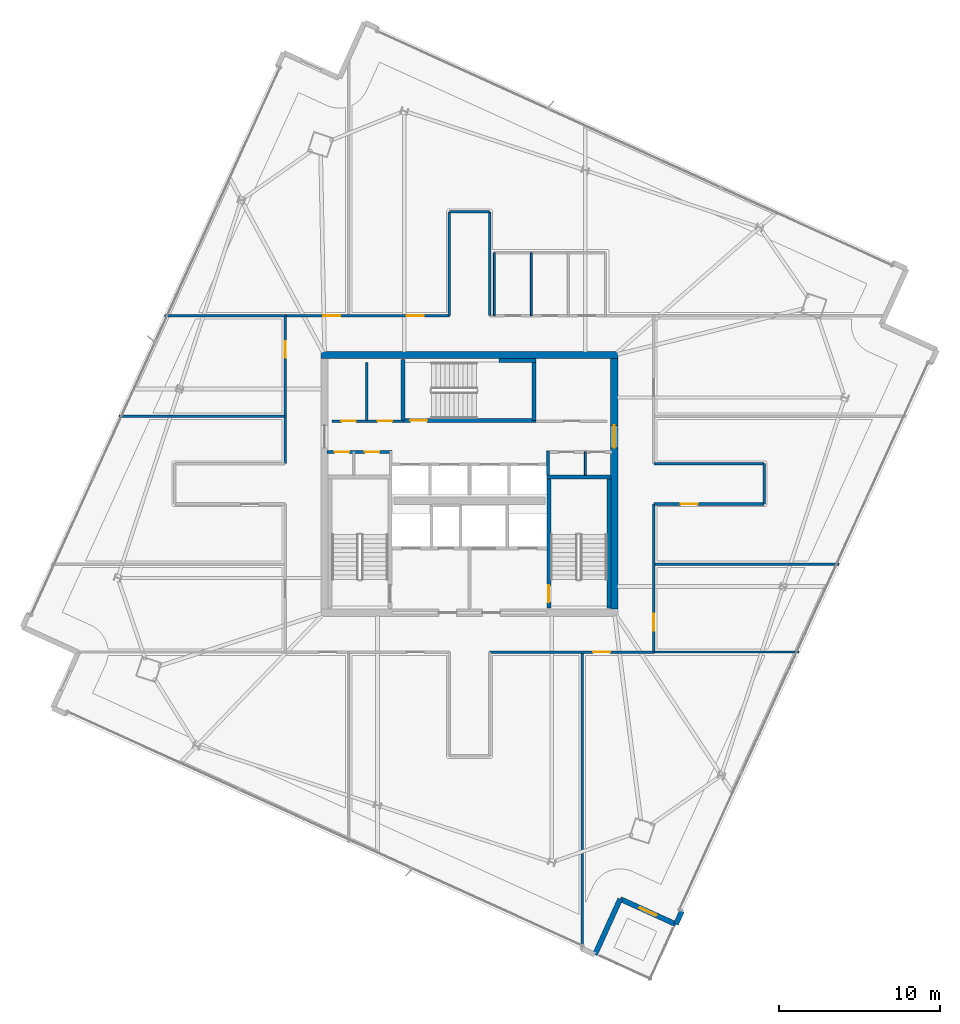
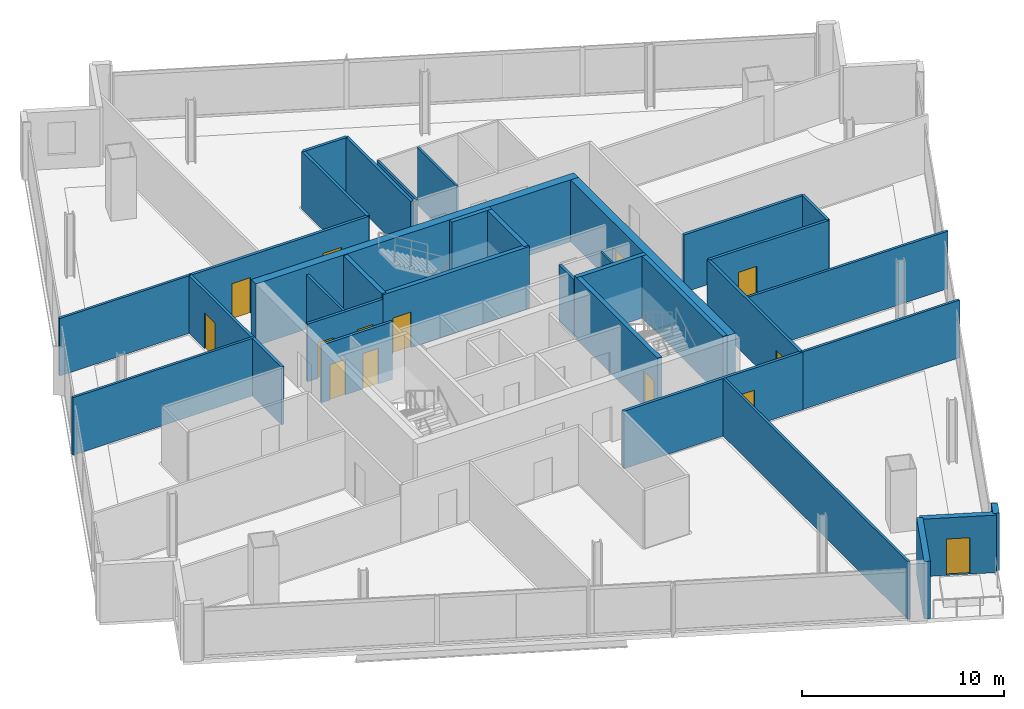
# One storey, part 20 of 26: 34 walls, 14 doors, 14 openings.
"""IFC4 building model written with IfcOpenShell, lengths in metres."""

from ifc_helpers import new_model, si_unit, direction, frame, frame_2d, origin, place, context, subcontext, project, spatial, rectangle, extrude, material, layer, layer_set, type_object, element, fill, save


model = new_model("IFC4")

# Units and contexts
model_context = context("Model", 3, precision=1e-05, world=origin(), true_north=direction((0.0, 1.0)))
body_context = subcontext(model_context, "Body", "Model", "MODEL_VIEW")
ifc_project = project(units=[si_unit("LENGTHUNIT", "METRE"), si_unit("AREAUNIT", "SQUARE_METRE"), si_unit("VOLUMEUNIT", "CUBIC_METRE"), si_unit("PLANEANGLEUNIT", "RADIAN"), si_unit("MASSUNIT", "GRAM", prefix="KILO")], contexts=[model_context])

# Site, building, storey
site_placement = place(None, origin())
site = spatial("IfcSite", under=ifc_project, at=site_placement, CompositionType="ELEMENT")
building_placement = place(site_placement, origin())
building = spatial("IfcBuilding", under=site, at=building_placement, Name="Haldenkirk Collegiate Tower", CompositionType="ELEMENT")
storey_placement = place(building_placement, frame((0.0, 0.0, 248.699951171875)))
storey = spatial("IfcBuildingStorey", under=building, at=storey_placement, Name="L62", CompositionType="ELEMENT", Elevation=248.699951171875)

# Wall
ifc_material_1 = material(Name="Concrete f'c 55 MPa", Category="concrete")
ifc_layer_1 = layer(ifc_material_1, 0.449951171875)
ifc_layer_set_1 = layer_set([ifc_layer_1], Name="Concrete f'c 55 MPa")
wall_type_1 = type_object("IfcWallType", Name="WL-CORE-450", PredefinedType="SHEAR", material=ifc_layer_set_1)
wall_1_placement = place(storey_placement, frame((26.77490234375, 34.0, 0.0), z_axis=(0.0, 0.0, 1.0), x_axis=(1.0, 0.0, 0.0)))
element("IfcWall", 1, at=wall_1_placement, inside=storey, type_object=wall_type_1, Name="L62 central core shear wall N", PredefinedType="SHEAR", context=body_context, shape_type="SweptSolid", body=[
    extrude(rectangle(XDim=18.4501953125, YDim=0.449951171875, at=frame_2d((9.22509765625, 0.0))), origin(), (0.0, 0.0, 1.0), 3.75),
])

# Wall, opening, door
wall_2_placement = place(storey_placement, frame((45.0, 18.22509765625, 0.0), z_axis=(0.0, 0.0, 1.0), x_axis=(0.0, 1.0, 0.0)))
wall_2 = element("IfcWall", 2, at=wall_2_placement, inside=storey, type_object=wall_type_1, Name="L62 central core shear wall E", PredefinedType="SHEAR", context=body_context, shape_type="SweptSolid", body=[
    extrude(rectangle(XDim=15.5498046875, YDim=0.449951171875, at=frame_2d((7.77490234375, 0.0))), origin(), (0.0, 0.0, 1.0), 3.75),
])
opening_1_placement = place(wall_2_placement, frame((10.014892578125, 0.0, 0.0)))
opening_1 = element("IfcOpeningElement", 3, at=opening_1_placement, cuts=wall_2, Name="Opening D-03", PredefinedType="OPENING", context=body_context, shape_type="SweptSolid", body=[
    extrude(rectangle(XDim=1.39990234375, YDim=2.199951171875, at=frame_2d((0.699951171875, 1.10009765625))), frame((0.0, 0.23486328125, 0.0), z_axis=(0.0, -1.0, 0.0), x_axis=(1.0, 0.0, 0.0)), (0.0, 0.0, 1.0), 0.469970703125),
])
ifc_material_2 = material(Name="Galvanized fire-rated hollow steel door", Category="steel")
ifc_layer_2 = layer(ifc_material_2, 0.06005859375)
ifc_layer_set_2 = layer_set([ifc_layer_2], Name="Galvanized fire-rated hollow steel door")
door_type_1 = type_object("IfcDoorType", Name="DR-LOBBY-FD90-1400", OperationType="NOTDEFINED", PredefinedType="DOOR", material=ifc_layer_set_2)
door_1_placement = place(opening_1_placement, origin())
door_1 = element("IfcDoor", 4, at=door_1_placement, inside=storey, type_object=door_type_1, Name="L62 east lift lobby portal", OperationType="DOUBLE_DOOR_SINGLE_SWING", OverallHeight=2.199951171875, OverallWidth=1.39990234375, PredefinedType="DOOR", context=body_context, shape_type="SweptSolid", body=[
    extrude(rectangle(XDim=1.39990234375, YDim=2.199951171875, at=frame_2d((0.699951171875, 1.10009765625))), frame((0.0, 0.02490234375, 0.0), z_axis=(0.0, -1.0, 0.0), x_axis=(1.0, 0.0, 0.0)), (0.0, 0.0, 1.0), 0.050048828125),
])
fill(opening_1, door_1)

# Walls
ifc_material_3 = material(Name="Precast concrete f'c 40 MPa", Category="concrete")
ifc_layer_3 = layer(ifc_material_3, 0.320068359375)
ifc_layer_set_3 = layer_set([ifc_layer_3], Name="Precast concrete f'c 40 MPa")
wall_type_2 = type_object("IfcWallType", Name="WL-EXT-TWR-320", PredefinedType="STANDARD", material=ifc_layer_set_3)
wall_3_placement = place(storey_placement, frame((49.197509765625, -0.542724609375, 0.0), z_axis=(0.0, 0.0, 1.0), x_axis=(-0.413925559836, -0.910310733165, 0.0)))
element("IfcWall", 5, at=wall_3_placement, inside=storey, type_object=wall_type_2, Name="L62 precast corner pier SR", PredefinedType="STANDARD", context=body_context, shape_type="SweptSolid", body=[
    extrude(rectangle(XDim=0.900146484375, YDim=0.320068359375, at=frame_2d((0.4501953125, 0.0))), origin(), (0.0, 0.0, 1.0), 3.47998046875),
])
wall_4_placement = place(storey_placement, frame((45.36572265625, 0.210693359375, 0.0), z_axis=(0.0, 0.0, 1.0), x_axis=(-0.41390944086, -0.910318062419, 0.0)))
element("IfcWall", 6, at=wall_4_placement, inside=storey, type_object=wall_type_2, Name="L62 bronze precast notch wall 11", PredefinedType="STANDARD", context=body_context, shape_type="SweptSolid", body=[
    extrude(rectangle(XDim=3.7998046875, YDim=0.320068359375, at=frame_2d((1.89990234375, 0.0))), origin(), (0.0, 0.0, 1.0), 3.47998046875),
])

# Wall, opening, door
wall_5_placement = place(storey_placement, frame((48.824951171875, -1.362060546875, 0.0), z_axis=(0.0, 0.0, 1.0), x_axis=(-0.910329069121, 0.413885232781, 0.0)))
wall_5 = element("IfcWall", 7, at=wall_5_placement, inside=storey, type_object=wall_type_2, Name="L62 bronze precast notch wall 12", PredefinedType="STANDARD", context=body_context, shape_type="SweptSolid", body=[
    extrude(rectangle(XDim=3.800048828125, YDim=0.320068359375, at=frame_2d((1.89990234375, 0.0))), origin(), (0.0, 0.0, 1.0), 3.47998046875),
])
opening_2_placement = place(wall_5_placement, frame((1.324951171875, 0.0, 0.0)))
opening_2 = element("IfcOpeningElement", 8, at=opening_2_placement, cuts=wall_5, Name="Opening D-ST11", PredefinedType="OPENING", context=body_context, shape_type="SweptSolid", body=[
    extrude(rectangle(XDim=1.14990234375, YDim=2.199951171875, at=frame_2d((0.574951171875, 1.10009765625))), frame((0.0, 0.169921875, 0.0), z_axis=(0.0, -1.0, 0.0), x_axis=(1.0, 0.0, 0.0)), (0.0, 0.0, 1.0), 0.340087890625),
])
ifc_material_4 = material(Name="Anodised architectural bronze aluminium", Category="aluminium")
ifc_layer_4 = layer(ifc_material_4, 0.080078125)
ifc_layer_set_4 = layer_set([ifc_layer_4], Name="Anodised architectural bronze aluminium")
door_type_2 = type_object("IfcDoorType", Name="DR-EXT-STER-1150", OperationType="NOTDEFINED", PredefinedType="DOOR", material=ifc_layer_set_4)
door_2_placement = place(opening_2_placement, origin())
door_2 = element("IfcDoor", 9, at=door_2_placement, inside=storey, type_object=door_type_2, Name="L62 spiralling terrace door", OperationType="SINGLE_SWING_LEFT", OverallHeight=2.199951171875, OverallWidth=1.14990234375, PredefinedType="DOOR", context=body_context, shape_type="SweptSolid", body=[
    extrude(rectangle(XDim=1.14990234375, YDim=2.199951171875, at=frame_2d((0.574951171875, 1.10009765625))), frame((0.0, 0.02490234375, 0.0), z_axis=(0.0, -1.0, 0.0), x_axis=(1.0, 0.0, 0.0)), (0.0, 0.0, 1.0), 0.050048828125),
])
fill(opening_2, door_2)

# Wall, openings, doors
ifc_material_5 = material(Name="Acoustic fire-rated gypsum partition", Category="concrete")
ifc_layer_5 = layer(ifc_material_5, 0.159912109375)
ifc_layer_set_5 = layer_set([ifc_layer_5], Name="Acoustic fire-rated gypsum partition")
wall_type_3 = type_object("IfcWallType", Name="WL-INT-CORR-160", PredefinedType="PARTITIONING", material=ifc_layer_set_5)
wall_6_placement = place(storey_placement, frame((27.14990234375, 27.97998046875, 0.0), z_axis=(0.0, 0.0, 1.0), x_axis=(1.0, 0.0, 0.0)))
wall_6 = element("IfcWall", 10, at=wall_6_placement, inside=storey, type_object=wall_type_3, Name="L62 interior partition IW-L62-VCSW-N", PredefinedType="PARTITIONING", context=body_context, shape_type="SweptSolid", body=[
    extrude(rectangle(XDim=4.050048828125, YDim=0.159912109375, at=frame_2d((2.02490234375, 0.0))), origin(), (0.0, 0.0, 1.0), 3.47998046875),
])
opening_3_placement = place(wall_6_placement, frame((0.469970703125, 0.0, 0.0)))
opening_3 = element("IfcOpeningElement", 11, at=opening_3_placement, cuts=wall_6, Name="Opening D-11", PredefinedType="OPENING", context=body_context, shape_type="SweptSolid", body=[
    extrude(rectangle(XDim=0.89990234375, YDim=2.14990234375, at=frame_2d((0.449951171875, 1.074951171875))), frame((0.0, 0.08984375, 0.0), z_axis=(0.0, -1.0, 0.0), x_axis=(1.0, 0.0, 0.0)), (0.0, 0.0, 1.0), 0.179931640625),
])
opening_4_placement = place(wall_6_placement, frame((2.360107421875, 0.0, 0.0)))
opening_4 = element("IfcOpeningElement", 12, at=opening_4_placement, cuts=wall_6, Name="Opening D-11", PredefinedType="OPENING", context=body_context, shape_type="SweptSolid", body=[
    extrude(rectangle(XDim=0.89990234375, YDim=2.14990234375, at=frame_2d((0.449951171875, 1.074951171875))), frame((0.0, 0.08984375, 0.0), z_axis=(0.0, -1.0, 0.0), x_axis=(1.0, 0.0, 0.0)), (0.0, 0.0, 1.0), 0.179931640625),
])
ifc_material_6 = material(Name="Solid-core architectural oak fire door", Category="wood")
ifc_layer_6 = layer(ifc_material_6, 0.06005859375)
ifc_layer_set_6 = layer_set([ifc_layer_6], Name="Solid-core architectural oak fire door")
door_type_3 = type_object("IfcDoorType", Name="DR-INT-FD60-900", OperationType="NOTDEFINED", PredefinedType="DOOR", material=ifc_layer_set_6)
door_3_placement = place(opening_3_placement, origin())
door_3 = element("IfcDoor", 13, at=door_3_placement, inside=storey, type_object=door_type_3, Name="L62 core AV closet door", OperationType="SINGLE_SWING_RIGHT", OverallHeight=2.14990234375, OverallWidth=0.89990234375, PredefinedType="DOOR", context=body_context, shape_type="SweptSolid", body=[
    extrude(rectangle(XDim=0.89990234375, YDim=2.14990234375, at=frame_2d((0.449951171875, 1.074951171875))), frame((0.0, 0.02490234375, 0.0), z_axis=(0.0, -1.0, 0.0), x_axis=(1.0, 0.0, 0.0)), (0.0, 0.0, 1.0), 0.050048828125),
])
fill(opening_3, door_3)
door_4_placement = place(opening_4_placement, origin())
door_4 = element("IfcDoor", 14, at=door_4_placement, inside=storey, type_object=door_type_3, Name="L62 core supply closet door", OperationType="SINGLE_SWING_LEFT", OverallHeight=2.14990234375, OverallWidth=0.89990234375, PredefinedType="DOOR", context=body_context, shape_type="SweptSolid", body=[
    extrude(rectangle(XDim=0.89990234375, YDim=2.14990234375, at=frame_2d((0.449951171875, 1.074951171875))), frame((0.0, 0.02490234375, 0.0), z_axis=(0.0, -1.0, 0.0), x_axis=(1.0, 0.0, 0.0)), (0.0, 0.0, 1.0), 0.050048828125),
])
fill(opening_4, door_4)

# Wall
wall_7_placement = place(storey_placement, frame((40.8798828125, 26.5400390625, 0.0), z_axis=(0.0, 0.0, 1.0), x_axis=(0.0, 1.0, 0.0)))
element("IfcWall", 15, at=wall_7_placement, inside=storey, type_object=wall_type_3, Name="L62 interior partition IW-L62-VCSE-W", PredefinedType="PARTITIONING", context=body_context, shape_type="SweptSolid", body=[
    extrude(rectangle(XDim=1.510009765625, YDim=0.159912109375, at=frame_2d((0.7548828125, 0.0))), origin(), (0.0, 0.0, 1.0), 3.47998046875),
])

# Wall, openings, doors
wall_8_placement = place(storey_placement, frame((27.449951171875, 29.89990234375, 0.0), z_axis=(0.0, 0.0, 1.0), x_axis=(1.0, 0.0, 0.0)))
wall_8 = element("IfcWall", 16, at=wall_8_placement, inside=storey, type_object=wall_type_3, Name="L62 interior partition IW-L62-PLS", PredefinedType="PARTITIONING", context=body_context, shape_type="SweptSolid", body=[
    extrude(rectangle(XDim=4.429931640625, YDim=0.159912109375, at=frame_2d((2.21484375, 0.0))), origin(), (0.0, 0.0, 1.0), 3.47998046875),
])
opening_5_placement = place(wall_8_placement, frame((0.60009765625, 0.0, 0.0)))
opening_5 = element("IfcOpeningElement", 17, at=opening_5_placement, cuts=wall_8, Name="Opening D-11", PredefinedType="OPENING", context=body_context, shape_type="SweptSolid", body=[
    extrude(rectangle(XDim=0.89990234375, YDim=2.14990234375, at=frame_2d((0.449951171875, 1.074951171875))), frame((0.0, 0.08984375, 0.0), z_axis=(0.0, -1.0, 0.0), x_axis=(1.0, 0.0, 0.0)), (0.0, 0.0, 1.0), 0.179931640625),
])
opening_6_placement = place(wall_8_placement, frame((2.85009765625, 0.0, 0.0)))
opening_6 = element("IfcOpeningElement", 18, at=opening_6_placement, cuts=wall_8, Name="Opening D-11", PredefinedType="OPENING", context=body_context, shape_type="SweptSolid", body=[
    extrude(rectangle(XDim=0.89990234375, YDim=2.14990234375, at=frame_2d((0.449951171875, 1.074951171875))), frame((0.0, 0.08984375, 0.0), z_axis=(0.0, -1.0, 0.0), x_axis=(1.0, 0.0, 0.0)), (0.0, 0.0, 1.0), 0.179931640625),
])
door_5_placement = place(opening_5_placement, origin())
door_5 = element("IfcDoor", 19, at=door_5_placement, inside=storey, type_object=door_type_3, Name="L62 tea kitchen door", OperationType="SINGLE_SWING_RIGHT", OverallHeight=2.14990234375, OverallWidth=0.89990234375, PredefinedType="DOOR", context=body_context, shape_type="SweptSolid", body=[
    extrude(rectangle(XDim=0.89990234375, YDim=2.14990234375, at=frame_2d((0.449951171875, 1.074951171875))), frame((0.0, 0.02490234375, 0.0), z_axis=(0.0, -1.0, 0.0), x_axis=(1.0, 0.0, 0.0)), (0.0, 0.0, 1.0), 0.050048828125),
])
fill(opening_5, door_5)
door_6_placement = place(opening_6_placement, origin())
door_6 = element("IfcDoor", 20, at=door_6_placement, inside=storey, type_object=door_type_3, Name="L62 IT room door", OperationType="SINGLE_SWING_LEFT", OverallHeight=2.14990234375, OverallWidth=0.89990234375, PredefinedType="DOOR", context=body_context, shape_type="SweptSolid", body=[
    extrude(rectangle(XDim=0.89990234375, YDim=2.14990234375, at=frame_2d((0.449951171875, 1.074951171875))), frame((0.0, 0.02490234375, 0.0), z_axis=(0.0, -1.0, 0.0), x_axis=(1.0, 0.0, 0.0)), (0.0, 0.0, 1.0), 0.050048828125),
])
fill(opening_6, door_6)

# Wall, opening, door
wall_9_placement = place(storey_placement, frame((37.25, 15.550048828125, 0.0), z_axis=(0.0, 0.0, 1.0), x_axis=(1.0, 0.0, 0.0)))
wall_9 = element("IfcWall", 21, at=wall_9_placement, inside=storey, type_object=wall_type_3, Name="L62 interior partition IW-L62-CS2", PredefinedType="PARTITIONING", context=body_context, shape_type="SweptSolid", body=[
    extrude(rectangle(XDim=10.25, YDim=0.159912109375, at=frame_2d((5.125, 0.0))), origin(), (0.0, 0.0, 1.0), 3.47998046875),
])
opening_7_placement = place(wall_9_placement, frame((6.43896484375, 0.0, 0.0)))
opening_7 = element("IfcOpeningElement", 22, at=opening_7_placement, cuts=wall_9, Name="Opening D-09", PredefinedType="OPENING", context=body_context, shape_type="SweptSolid", body=[
    extrude(rectangle(XDim=1.050048828125, YDim=2.14990234375, at=frame_2d((0.52490234375, 1.074951171875))), frame((0.0, 0.08984375, 0.0), z_axis=(0.0, -1.0, 0.0), x_axis=(1.0, 0.0, 0.0)), (0.0, 0.0, 1.0), 0.179931640625),
])
ifc_layer_7 = layer(ifc_material_6, 0.06005859375)
ifc_layer_set_7 = layer_set([ifc_layer_7], Name="Solid-core architectural oak fire door")
door_type_4 = type_object("IfcDoorType", Name="DR-INT-FD60-1050", OperationType="NOTDEFINED", PredefinedType="DOOR", material=ifc_layer_set_7)
door_7_placement = place(opening_7_placement, origin())
door_7 = element("IfcDoor", 23, at=door_7_placement, inside=storey, type_object=door_type_4, Name="L62 Research Office 3 door", OperationType="SINGLE_SWING_RIGHT", OverallHeight=2.14990234375, OverallWidth=1.050048828125, PredefinedType="DOOR", context=body_context, shape_type="SweptSolid", body=[
    extrude(rectangle(XDim=1.050048828125, YDim=2.14990234375, at=frame_2d((0.52490234375, 1.074951171875))), frame((0.0, 0.02490234375, 0.0), z_axis=(0.0, -1.0, 0.0), x_axis=(1.0, 0.0, 0.0)), (0.0, 0.0, 1.0), 0.050048828125),
])
fill(opening_7, door_7)

# Wall, openings, doors
wall_10_placement = place(storey_placement, frame((24.5, 36.449951171875, 0.0), z_axis=(0.0, 0.0, 1.0), x_axis=(1.0, 0.0, 0.0)))
wall_10 = element("IfcWall", 24, at=wall_10_placement, inside=storey, type_object=wall_type_3, Name="L62 interior partition IW-L62-CN1", PredefinedType="PARTITIONING", context=body_context, shape_type="SweptSolid", body=[
    extrude(rectangle(XDim=10.25, YDim=0.159912109375, at=frame_2d((5.125, 0.0))), origin(), (0.0, 0.0, 1.0), 3.47998046875),
])
opening_8_placement = place(wall_10_placement, frame((2.4208984375, 0.0, 0.0)))
opening_8 = element("IfcOpeningElement", 25, at=opening_8_placement, cuts=wall_10, Name="Opening D-09", PredefinedType="OPENING", context=body_context, shape_type="SweptSolid", body=[
    extrude(rectangle(XDim=1.050048828125, YDim=2.14990234375, at=frame_2d((0.52490234375, 1.074951171875))), frame((0.0, 0.08984375, 0.0), z_axis=(0.0, -1.0, 0.0), x_axis=(1.0, 0.0, 0.0)), (0.0, 0.0, 1.0), 0.179931640625),
])
opening_9_placement = place(wall_10_placement, frame((7.618896484375, 0.0, 0.0)))
opening_9 = element("IfcOpeningElement", 26, at=opening_9_placement, cuts=wall_10, Name="Opening D-09", PredefinedType="OPENING", context=body_context, shape_type="SweptSolid", body=[
    extrude(rectangle(XDim=1.050048828125, YDim=2.14990234375, at=frame_2d((0.52490234375, 1.074951171875))), frame((0.0, 0.08984375, 0.0), z_axis=(0.0, -1.0, 0.0), x_axis=(1.0, 0.0, 0.0)), (0.0, 0.0, 1.0), 0.179931640625),
])
door_8_placement = place(opening_8_placement, origin())
door_8 = element("IfcDoor", 27, at=door_8_placement, inside=storey, type_object=door_type_4, Name="L62 Departmental Office 4 door", OperationType="SINGLE_SWING_LEFT", OverallHeight=2.14990234375, OverallWidth=1.050048828125, PredefinedType="DOOR", context=body_context, shape_type="SweptSolid", body=[
    extrude(rectangle(XDim=1.050048828125, YDim=2.14990234375, at=frame_2d((0.52490234375, 1.074951171875))), frame((0.0, 0.02490234375, 0.0), z_axis=(0.0, -1.0, 0.0), x_axis=(1.0, 0.0, 0.0)), (0.0, 0.0, 1.0), 0.050048828125),
])
fill(opening_8, door_8)
door_9_placement = place(opening_9_placement, origin())
door_9 = element("IfcDoor", 28, at=door_9_placement, inside=storey, type_object=door_type_4, Name="L62 Visiting Scholar Office 5 door", OperationType="SINGLE_SWING_RIGHT", OverallHeight=2.14990234375, OverallWidth=1.050048828125, PredefinedType="DOOR", context=body_context, shape_type="SweptSolid", body=[
    extrude(rectangle(XDim=1.050048828125, YDim=2.14990234375, at=frame_2d((0.52490234375, 1.074951171875))), frame((0.0, 0.02490234375, 0.0), z_axis=(0.0, -1.0, 0.0), x_axis=(1.0, 0.0, 0.0)), (0.0, 0.0, 1.0), 0.050048828125),
])
fill(opening_9, door_9)

# Wall, opening, door
wall_11_placement = place(storey_placement, frame((24.550048828125, 27.25, 0.0), z_axis=(0.0, 0.0, 1.0), x_axis=(0.0, 1.0, 0.0)))
wall_11 = element("IfcWall", 29, at=wall_11_placement, inside=storey, type_object=wall_type_3, Name="L62 interior partition IW-L62-CW2", PredefinedType="PARTITIONING", context=body_context, shape_type="SweptSolid", body=[
    extrude(rectangle(XDim=9.199951171875, YDim=0.159912109375, at=frame_2d((4.60009765625, 0.0))), origin(), (0.0, 0.0, 1.0), 3.47998046875),
])
opening_10_placement = place(wall_11_placement, frame((6.569091796875, 0.0, 0.0)))
opening_10 = element("IfcOpeningElement", 30, at=opening_10_placement, cuts=wall_11, Name="Opening D-09", PredefinedType="OPENING", context=body_context, shape_type="SweptSolid", body=[
    extrude(rectangle(XDim=1.050048828125, YDim=2.14990234375, at=frame_2d((0.52490234375, 1.074951171875))), frame((0.0, 0.08984375, 0.0), z_axis=(0.0, -1.0, 0.0), x_axis=(1.0, 0.0, 0.0)), (0.0, 0.0, 1.0), 0.179931640625),
])
door_10_placement = place(opening_10_placement, origin())
door_10 = element("IfcDoor", 31, at=door_10_placement, inside=storey, type_object=door_type_4, Name="L62 Senior Fellow Office 8 door", OperationType="SINGLE_SWING_LEFT", OverallHeight=2.14990234375, OverallWidth=1.050048828125, PredefinedType="DOOR", context=body_context, shape_type="SweptSolid", body=[
    extrude(rectangle(XDim=1.050048828125, YDim=2.14990234375, at=frame_2d((0.52490234375, 1.074951171875))), frame((0.0, 0.02490234375, 0.0), z_axis=(0.0, -1.0, 0.0), x_axis=(1.0, 0.0, 0.0)), (0.0, 0.0, 1.0), 0.050048828125),
])
fill(opening_10, door_10)

wall_12_placement = place(storey_placement, frame((47.449951171875, 15.550048828125, 0.0), z_axis=(0.0, 0.0, 1.0), x_axis=(0.0, 1.0, 0.0)))
wall_12 = element("IfcWall", 32, at=wall_12_placement, inside=storey, type_object=wall_type_3, Name="L62 interior partition IW-L62-CE1", PredefinedType="PARTITIONING", context=body_context, shape_type="SweptSolid", body=[
    extrude(rectangle(XDim=9.199951171875, YDim=0.159912109375, at=frame_2d((4.60009765625, 0.0))), origin(), (0.0, 0.0, 1.0), 3.47998046875),
])
opening_11_placement = place(wall_12_placement, frame((1.324951171875, 0.0, 0.0)))
opening_11 = element("IfcOpeningElement", 33, at=opening_11_placement, cuts=wall_12, Name="Opening D-09", PredefinedType="OPENING", context=body_context, shape_type="SweptSolid", body=[
    extrude(rectangle(XDim=1.050048828125, YDim=2.14990234375, at=frame_2d((0.52490234375, 1.074951171875))), frame((0.0, 0.08984375, 0.0), z_axis=(0.0, -1.0, 0.0), x_axis=(1.0, 0.0, 0.0)), (0.0, 0.0, 1.0), 0.179931640625),
])
door_11_placement = place(opening_11_placement, origin())
door_11 = element("IfcDoor", 34, at=door_11_placement, inside=storey, type_object=door_type_4, Name="L62 Research Office 9 door", OperationType="SINGLE_SWING_RIGHT", OverallHeight=2.14990234375, OverallWidth=1.050048828125, PredefinedType="DOOR", context=body_context, shape_type="SweptSolid", body=[
    extrude(rectangle(XDim=1.050048828125, YDim=2.14990234375, at=frame_2d((0.52490234375, 1.074951171875))), frame((0.0, 0.02490234375, 0.0), z_axis=(0.0, -1.0, 0.0), x_axis=(1.0, 0.0, 0.0)), (0.0, 0.0, 1.0), 0.050048828125),
])
fill(opening_11, door_11)

# Walls
for number, where, z_axis, x_axis, name in (
    (35, (34.75, 36.449951171875, 0.0), (0.0, 0.0, 1.0), (0.0, 1.0, 0.0), "L62 interior partition IW-L62-NPW"),
    (36, (37.25, 36.449951171875, 0.0), (0.0, 0.0, 1.0), (0.0, 1.0, 0.0), "L62 interior partition IW-L62-NPE"),
):
    element("IfcWall", number, at=place(storey_placement, frame(where, z_axis=z_axis, x_axis=x_axis)), inside=storey, type_object=wall_type_3, Name=name, PredefinedType="PARTITIONING", context=body_context, shape_type="SweptSolid", body=[
        extrude(rectangle(XDim=6.449951171875, YDim=0.159912109375, at=frame_2d((3.22509765625, 0.0))), origin(), (0.0, 0.0, 1.0), 3.47998046875),
    ])
wall_13_placement = place(storey_placement, frame((34.75, 42.89990234375, 0.0), z_axis=(0.0, 0.0, 1.0), x_axis=(1.0, 0.0, 0.0)))
element("IfcWall", 37, at=wall_13_placement, inside=storey, type_object=wall_type_3, Name="L62 interior partition IW-L62-NPN", PredefinedType="PARTITIONING", context=body_context, shape_type="SweptSolid", body=[
    extrude(rectangle(XDim=2.5, YDim=0.159912109375, at=frame_2d((1.25, 0.0))), origin(), (0.0, 0.0, 1.0), 3.47998046875),
])

# Wall, opening, door
wall_14_placement = place(storey_placement, frame((47.449951171875, 24.75, 0.0), z_axis=(0.0, 0.0, 1.0), x_axis=(1.0, 0.0, 0.0)))
wall_14 = element("IfcWall", 38, at=wall_14_placement, inside=storey, type_object=wall_type_3, Name="L62 interior partition IW-L62-EPS", PredefinedType="PARTITIONING", context=body_context, shape_type="SweptSolid", body=[
    extrude(rectangle(XDim=6.85009765625, YDim=0.159912109375, at=frame_2d((3.425048828125, 0.0))), origin(), (0.0, 0.0, 1.0), 3.47998046875),
])
opening_12_placement = place(wall_14_placement, frame((1.6669921875, 0.0, 0.0)))
opening_12 = element("IfcOpeningElement", 39, at=opening_12_placement, cuts=wall_14, Name="Opening D-09", PredefinedType="OPENING", context=body_context, shape_type="SweptSolid", body=[
    extrude(rectangle(XDim=1.050048828125, YDim=2.14990234375, at=frame_2d((0.52490234375, 1.074951171875))), frame((0.0, 0.08984375, 0.0), z_axis=(0.0, -1.0, 0.0), x_axis=(1.0, 0.0, 0.0)), (0.0, 0.0, 1.0), 0.179931640625),
])
door_12_placement = place(opening_12_placement, origin())
door_12 = element("IfcDoor", 40, at=door_12_placement, inside=storey, type_object=door_type_4, Name="L62 Departmental Office 10 door", OperationType="SINGLE_SWING_LEFT", OverallHeight=2.14990234375, OverallWidth=1.050048828125, PredefinedType="DOOR", context=body_context, shape_type="SweptSolid", body=[
    extrude(rectangle(XDim=1.050048828125, YDim=2.14990234375, at=frame_2d((0.52490234375, 1.074951171875))), frame((0.0, 0.02490234375, 0.0), z_axis=(0.0, -1.0, 0.0), x_axis=(1.0, 0.0, 0.0)), (0.0, 0.0, 1.0), 0.050048828125),
])
fill(opening_12, door_12)

# Walls
wall_15_placement = place(storey_placement, frame((47.449951171875, 27.25, 0.0), z_axis=(0.0, 0.0, 1.0), x_axis=(1.0, 0.0, 0.0)))
element("IfcWall", 41, at=wall_15_placement, inside=storey, type_object=wall_type_3, Name="L62 interior partition IW-L62-EPN", PredefinedType="PARTITIONING", context=body_context, shape_type="SweptSolid", body=[
    extrude(rectangle(XDim=6.85009765625, YDim=0.159912109375, at=frame_2d((3.425048828125, 0.0))), origin(), (0.0, 0.0, 1.0), 3.47998046875),
])
wall_16_placement = place(storey_placement, frame((54.300048828125, 24.75, 0.0), z_axis=(0.0, 0.0, 1.0), x_axis=(0.0, 1.0, 0.0)))
element("IfcWall", 42, at=wall_16_placement, inside=storey, type_object=wall_type_3, Name="L62 interior partition IW-L62-EPE", PredefinedType="PARTITIONING", context=body_context, shape_type="SweptSolid", body=[
    extrude(rectangle(XDim=2.5, YDim=0.159912109375, at=frame_2d((1.25, 0.0))), origin(), (0.0, 0.0, 1.0), 3.47998046875),
])
ifc_layer_8 = layer(ifc_material_5, 0.139892578125)
ifc_layer_set_8 = layer_set([ifc_layer_8], Name="Acoustic fire-rated gypsum partition")
wall_type_4 = type_object("IfcWallType", Name="WL-INT-DIV-140", PredefinedType="PARTITIONING", material=ifc_layer_set_8)
wall_17_placement = place(storey_placement, frame((29.6201171875, 29.949951171875, 0.0), z_axis=(0.0, 0.0, 1.0), x_axis=(0.0, 1.0, 0.0)))
element("IfcWall", 43, at=wall_17_placement, inside=storey, type_object=wall_type_4, Name="L62 interior partition IW-L62-PLDIV", PredefinedType="PARTITIONING", context=body_context, shape_type="SweptSolid", body=[
    extrude(rectangle(XDim=3.60009765625, YDim=0.139892578125, at=frame_2d((1.800048828125, 0.0))), origin(), (0.0, 0.0, 1.0), 3.47998046875),
])
wall_18_placement = place(storey_placement, frame((17.0673828125, 36.449951171875, 0.0), z_axis=(0.0, 0.0, 1.0), x_axis=(1.0, 0.0, 0.0)))
element("IfcWall", 44, at=wall_18_placement, inside=storey, type_object=wall_type_4, Name="L62 interior partition IW-L62-BWN", PredefinedType="PARTITIONING", context=body_context, shape_type="SweptSolid", body=[
    extrude(rectangle(XDim=7.482666015625, YDim=0.139892578125, at=frame_2d((3.7412109375, 0.0))), origin(), (0.0, 0.0, 1.0), 3.47998046875),
])
wall_19_placement = place(storey_placement, frame((47.449951171875, 15.550048828125, 0.0), z_axis=(0.0, 0.0, 1.0), x_axis=(1.0, 0.0, 0.0)))
element("IfcWall", 45, at=wall_19_placement, inside=storey, type_object=wall_type_4, Name="L62 interior partition IW-L62-BES", PredefinedType="PARTITIONING", context=body_context, shape_type="SweptSolid", body=[
    extrude(rectangle(XDim=9.0205078125, YDim=0.139892578125, at=frame_2d((4.51025390625, 0.0))), origin(), (0.0, 0.0, 1.0), 3.47998046875),
])
wall_20_placement = place(storey_placement, frame((43.0, -2.843994140625, 0.0), z_axis=(0.0, 0.0, 1.0), x_axis=(0.0, 1.0, 0.0)))
element("IfcWall", 46, at=wall_20_placement, inside=storey, type_object=wall_type_4, Name="L62 interior partition IW-L62-RS2", PredefinedType="PARTITIONING", context=body_context, shape_type="SweptSolid", body=[
    extrude(rectangle(XDim=18.39404296875, YDim=0.139892578125, at=frame_2d((9.197021484375, 0.0))), origin(), (0.0, 0.0, 1.0), 3.47998046875),
])
wall_21_placement = place(storey_placement, frame((14.2255859375, 30.199951171875, 0.0), z_axis=(0.0, 0.0, 1.0), x_axis=(1.0, 0.0, 0.0)))
element("IfcWall", 47, at=wall_21_placement, inside=storey, type_object=wall_type_4, Name="L62 interior partition IW-L62-RW2", PredefinedType="PARTITIONING", context=body_context, shape_type="SweptSolid", body=[
    extrude(rectangle(XDim=10.324462890625, YDim=0.139892578125, at=frame_2d((5.162109375, 0.0))), origin(), (0.0, 0.0, 1.0), 3.47998046875),
])
wall_22_placement = place(storey_placement, frame((47.449951171875, 21.0, 0.0), z_axis=(0.0, 0.0, 1.0), x_axis=(1.0, 0.0, 0.0)))
element("IfcWall", 48, at=wall_22_placement, inside=storey, type_object=wall_type_4, Name="L62 interior partition IW-L62-RE1", PredefinedType="PARTITIONING", context=body_context, shape_type="SweptSolid", body=[
    extrude(rectangle(XDim=11.49853515625, YDim=0.139892578125, at=frame_2d((5.749267578125, 0.0))), origin(), (0.0, 0.0, 1.0), 3.47998046875),
])
ifc_layer_9 = layer(ifc_material_5, 0.1201171875)
ifc_layer_set_9 = layer_set([ifc_layer_9], Name="Acoustic fire-rated gypsum partition")
wall_type_5 = type_object("IfcWallType", Name="WL-INT-WET-120", PredefinedType="PARTITIONING", material=ifc_layer_set_9)
wall_23_placement = place(storey_placement, frame((43.199951171875, 26.5400390625, 0.0), z_axis=(0.0, 0.0, 1.0), x_axis=(0.0, 1.0, 0.0)))
element("IfcWall", 49, at=wall_23_placement, inside=storey, type_object=wall_type_5, Name="L62 interior partition IW-L62-VCSE-M", PredefinedType="PARTITIONING", context=body_context, shape_type="SweptSolid", body=[
    extrude(rectangle(XDim=1.43994140625, YDim=0.1201171875, at=frame_2d((0.719970703125, 0.0))), origin(), (0.0, 0.0, 1.0), 3.47998046875),
])
for number, where, z_axis, x_axis, name in (
    (50, (37.550048828125, 36.449951171875, 0.0), (0.0, 0.0, 1.0), (0.0, 1.0, 0.0), "L62 interior partition IW-L62-WCW"),
    (51, (39.85009765625, 36.449951171875, 0.0), (0.0, 0.0, 1.0), (0.0, 1.0, 0.0), "L62 interior partition IW-L62-WC1"),
):
    element("IfcWall", number, at=place(storey_placement, frame(where, z_axis=z_axis, x_axis=x_axis)), inside=storey, type_object=wall_type_5, Name=name, PredefinedType="PARTITIONING", context=body_context, shape_type="SweptSolid", body=[
        extrude(rectangle(XDim=3.900146484375, YDim=0.1201171875, at=frame_2d((1.9501953125, 0.0))), origin(), (0.0, 0.0, 1.0), 3.47998046875),
    ])

# Wall, opening, door
ifc_layer_10 = layer(ifc_material_1, 0.239990234375)
ifc_layer_set_10 = layer_set([ifc_layer_10], Name="Concrete f'c 55 MPa")
wall_type_6 = type_object("IfcWallType", Name="WL-SHAFT-240", PredefinedType="SHEAR", material=ifc_layer_set_10)
wall_24_placement = place(storey_placement, frame((40.929931640625, 18.280029296875, 0.0), z_axis=(0.0, 0.0, 1.0), x_axis=(0.0, 1.0, 0.0)))
wall_24 = element("IfcWall", 52, at=wall_24_placement, inside=storey, type_object=wall_type_6, Name="L62 stair shaft shear wall SW-L62-ST2W", PredefinedType="SHEAR", context=body_context, shape_type="SweptSolid", body=[
    extrude(rectangle(XDim=8.260009765625, YDim=0.239990234375, at=frame_2d((4.1298828125, 0.0))), origin(), (0.0, 0.0, 1.0), 3.75),
])
opening_13_placement = place(wall_24_placement, frame((0.364990234375, 0.0, 0.0)))
opening_13 = element("IfcOpeningElement", 53, at=opening_13_placement, cuts=wall_24, Name="Opening D-01", PredefinedType="OPENING", context=body_context, shape_type="SweptSolid", body=[
    extrude(rectangle(XDim=1.050048828125, YDim=2.14990234375, at=frame_2d((0.52490234375, 1.074951171875))), frame((0.0, 0.1298828125, 0.0), z_axis=(0.0, -1.0, 0.0), x_axis=(1.0, 0.0, 0.0)), (0.0, 0.0, 1.0), 0.260009765625),
])
ifc_layer_11 = layer(ifc_material_2, 0.06005859375)
ifc_layer_set_11 = layer_set([ifc_layer_11], Name="Galvanized fire-rated hollow steel door")
door_type_5 = type_object("IfcDoorType", Name="DR-STAIR-FD90-1050", OperationType="NOTDEFINED", PredefinedType="DOOR", material=ifc_layer_set_11)
door_13_placement = place(opening_13_placement, origin())
door_13 = element("IfcDoor", 54, at=door_13_placement, inside=storey, type_object=door_type_5, Name="L62 Stair 2 door", OperationType="SINGLE_SWING_RIGHT", OverallHeight=2.14990234375, OverallWidth=1.050048828125, PredefinedType="DOOR", context=body_context, shape_type="SweptSolid", body=[
    extrude(rectangle(XDim=1.050048828125, YDim=2.14990234375, at=frame_2d((0.52490234375, 1.074951171875))), frame((0.0, 0.02490234375, 0.0), z_axis=(0.0, -1.0, 0.0), x_axis=(1.0, 0.0, 0.0)), (0.0, 0.0, 1.0), 0.050048828125),
])
fill(opening_13, door_13)

# Walls
wall_25_placement = place(storey_placement, frame((40.81005859375, 26.419921875, 0.0), z_axis=(0.0, 0.0, 1.0), x_axis=(1.0, 0.0, 0.0)))
element("IfcWall", 55, at=wall_25_placement, inside=storey, type_object=wall_type_6, Name="L62 stair shaft shear wall SW-L62-ST2N", PredefinedType="SHEAR", context=body_context, shape_type="SweptSolid", body=[
    extrude(rectangle(XDim=3.97998046875, YDim=0.239990234375, at=frame_2d((1.989990234375, 0.0))), origin(), (0.0, 0.0, 1.0), 3.75),
])
wall_26_placement = place(storey_placement, frame((44.669921875, 18.280029296875, 0.0), z_axis=(0.0, 0.0, 1.0), x_axis=(0.0, 1.0, 0.0)))
element("IfcWall", 56, at=wall_26_placement, inside=storey, type_object=wall_type_6, Name="L62 stair shaft shear wall SW-L62-ST2E", PredefinedType="SHEAR", context=body_context, shape_type="SweptSolid", body=[
    extrude(rectangle(XDim=8.260009765625, YDim=0.239990234375, at=frame_2d((4.1298828125, 0.0))), origin(), (0.0, 0.0, 1.0), 3.75),
])

# Wall, opening, door
wall_27_placement = place(storey_placement, frame((31.760009765625, 29.929931640625, 0.0), z_axis=(0.0, 0.0, 1.0), x_axis=(1.0, 0.0, 0.0)))
wall_27 = element("IfcWall", 57, at=wall_27_placement, inside=storey, type_object=wall_type_6, Name="L62 stair shaft shear wall SW-L62-ST3S", PredefinedType="SHEAR", context=body_context, shape_type="SweptSolid", body=[
    extrude(rectangle(XDim=8.3798828125, YDim=0.239990234375, at=frame_2d((4.18994140625, 0.0))), origin(), (0.0, 0.0, 1.0), 3.75),
])
opening_14_placement = place(wall_27_placement, frame((0.56494140625, 0.0, 0.0)))
opening_14 = element("IfcOpeningElement", 58, at=opening_14_placement, cuts=wall_27, Name="Opening D-01", PredefinedType="OPENING", context=body_context, shape_type="SweptSolid", body=[
    extrude(rectangle(XDim=1.050048828125, YDim=2.14990234375, at=frame_2d((0.52490234375, 1.074951171875))), frame((0.0, 0.1298828125, 0.0), z_axis=(0.0, -1.0, 0.0), x_axis=(1.0, 0.0, 0.0)), (0.0, 0.0, 1.0), 0.260009765625),
])
door_14_placement = place(opening_14_placement, origin())
door_14 = element("IfcDoor", 59, at=door_14_placement, inside=storey, type_object=door_type_5, Name="L62 lift lobby Stair 3 door", OperationType="SINGLE_SWING_LEFT", OverallHeight=2.14990234375, OverallWidth=1.050048828125, PredefinedType="DOOR", context=body_context, shape_type="SweptSolid", body=[
    extrude(rectangle(XDim=1.050048828125, YDim=2.14990234375, at=frame_2d((0.52490234375, 1.074951171875))), frame((0.0, 0.02490234375, 0.0), z_axis=(0.0, -1.0, 0.0), x_axis=(1.0, 0.0, 0.0)), (0.0, 0.0, 1.0), 0.050048828125),
])
fill(opening_14, door_14)

# Walls
wall_28_placement = place(storey_placement, frame((31.8798828125, 29.929931640625, 0.0), z_axis=(0.0, 0.0, 1.0), x_axis=(0.0, 1.0, 0.0)))
element("IfcWall", 60, at=wall_28_placement, inside=storey, type_object=wall_type_6, Name="L62 stair shaft shear wall SW-L62-ST3W", PredefinedType="SHEAR", context=body_context, shape_type="SweptSolid", body=[
    extrude(rectangle(XDim=3.7900390625, YDim=0.239990234375, at=frame_2d((1.89501953125, 0.0))), origin(), (0.0, 0.0, 1.0), 3.75),
])
wall_29_placement = place(storey_placement, frame((40.02001953125, 29.929931640625, 0.0), z_axis=(0.0, 0.0, 1.0), x_axis=(0.0, 1.0, 0.0)))
element("IfcWall", 61, at=wall_29_placement, inside=storey, type_object=wall_type_6, Name="L62 stair shaft shear wall SW-L62-ST3E", PredefinedType="SHEAR", context=body_context, shape_type="SweptSolid", body=[
    extrude(rectangle(XDim=3.85009765625, YDim=0.239990234375, at=frame_2d((1.925048828125, 0.0))), origin(), (0.0, 0.0, 1.0), 3.75),
])
wall_30_placement = place(storey_placement, frame((37.85009765625, 33.659912109375, 0.0), z_axis=(0.0, 0.0, 1.0), x_axis=(1.0, 0.0, 0.0)))
element("IfcWall", 62, at=wall_30_placement, inside=storey, type_object=wall_type_6, Name="L62 stair shaft shear wall SW-L62-ST3N", PredefinedType="SHEAR", context=body_context, shape_type="SweptSolid", body=[
    extrude(rectangle(XDim=2.289794921875, YDim=0.239990234375, at=frame_2d((1.14501953125, 0.0))), origin(), (0.0, 0.0, 1.0), 3.75),
])

save(model, "model.ifc")
